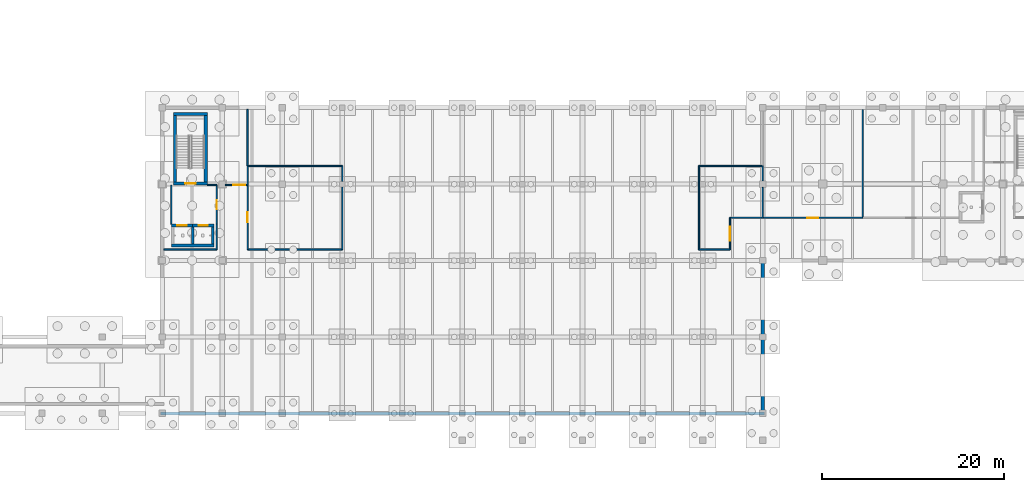
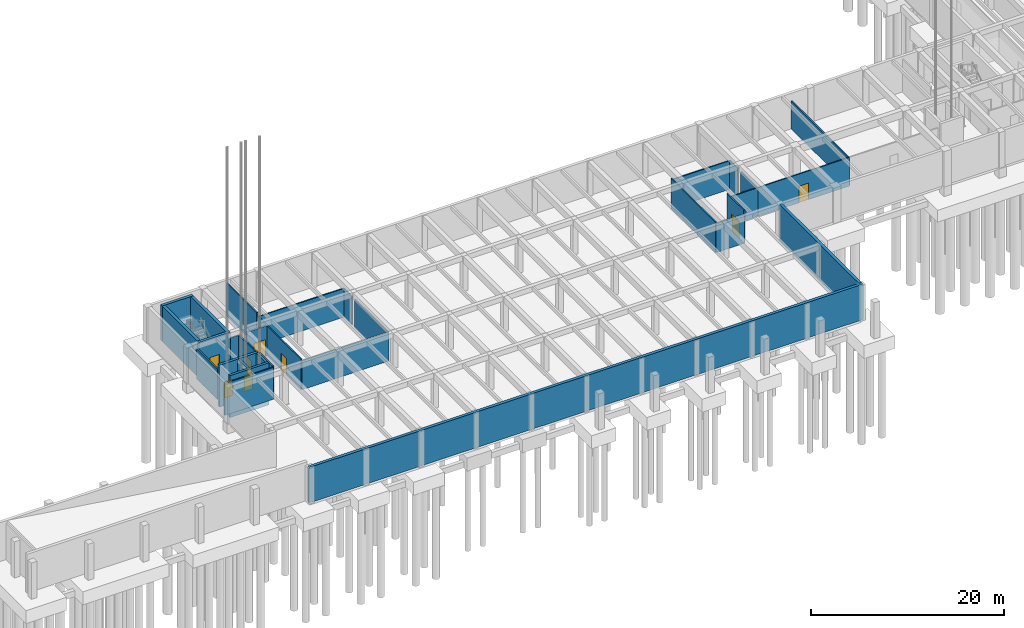
# One storey, part 33 of 44: 33 walls, 8 doors, 8 openings.
"""IFC4 building model written with IfcOpenShell, lengths in metres."""

from ifc_helpers import new_model, si_unit, direction, frame, frame_2d, origin, place, context, subcontext, project, spatial, rectangle, extrude, material, layer, layer_set, type_object, element, fill, save


model = new_model("IFC4")

# Units and contexts
model_context = context("Model", 3, precision=1e-05, world=origin(), true_north=direction((0.0, 1.0)))
body_context = subcontext(model_context, "Body", "Model", "MODEL_VIEW")
ifc_project = project(units=[si_unit("LENGTHUNIT", "METRE"), si_unit("AREAUNIT", "SQUARE_METRE"), si_unit("VOLUMEUNIT", "CUBIC_METRE"), si_unit("PLANEANGLEUNIT", "RADIAN"), si_unit("MASSUNIT", "GRAM", prefix="KILO")], contexts=[model_context])

# Site, building, storey
site_placement = place(None, origin())
site = spatial("IfcSite", under=ifc_project, at=site_placement, CompositionType="ELEMENT")
building_placement = place(site_placement, origin())
building = spatial("IfcBuilding", under=site, at=building_placement, Name="Kolvaren Faculty of Natural Sciences", CompositionType="ELEMENT")
storey_placement = place(building_placement, frame((0.0, 0.0, -4.5)))
storey = spatial("IfcBuildingStorey", under=building, at=storey_placement, Name="B01", CompositionType="ELEMENT", Elevation=-4.5)

# Walls
ifc_material_1 = material(Name="Concrete C35/45", Category="concrete")
ifc_layer_1 = layer(ifc_material_1, 0.35009765625)
ifc_layer_set_1 = layer_set([ifc_layer_1], Name="Concrete C35/45")
wall_type_1 = type_object("IfcWallType", Name="BasementRetainingWall_350", PredefinedType="SOLIDWALL", material=ifc_layer_set_1)
wall_1_placement = place(storey_placement, frame((99.199951171875, 8.77490234375, 0.0), z_axis=(0.0, 0.0, 1.0), x_axis=(0.0, 1.0, 0.0)))
element("IfcWall", 1, at=wall_1_placement, inside=storey, type_object=wall_type_1, Name="B01 perimeter reinforced concrete retaining wall 14.1", PredefinedType="SOLIDWALL", context=body_context, shape_type="SweptSolid", body=[
    extrude(rectangle(XDim=16.4501953125, YDim=0.35009765625, at=frame_2d((8.22509765625, 0.0))), origin(), (0.0, 0.0, 1.0), 4.5),
])
wall_2_placement = place(storey_placement, frame((33.02490234375, 8.60009765625, 0.0), z_axis=(0.0, 0.0, 1.0), x_axis=(1.0, 0.0, 0.0)))
element("IfcWall", 2, at=wall_2_placement, inside=storey, type_object=wall_type_1, Name="B01 perimeter reinforced concrete retaining wall 15", PredefinedType="SOLIDWALL", context=body_context, shape_type="SweptSolid", body=[
    extrude(rectangle(XDim=66.35009765625, YDim=0.35009765625, at=frame_2d((33.175048828125, 0.0))), origin(), (0.0, 0.0, 1.0), 4.5),
])
ifc_material_2 = material(Name="Acoustic mineral-wool insulated gypsum partition")
ifc_layer_2 = layer(ifc_material_2, 0.159912109375)
ifc_layer_set_2 = layer_set([ifc_layer_2], Name="Acoustic mineral-wool insulated gypsum partition")
wall_type_2 = type_object("IfcWallType", Name="ClassroomPartitionWall_160", PredefinedType="PARTITIONING", material=ifc_layer_set_2)
wall_3_placement = place(storey_placement, frame((42.60009765625, 42.02294921875, 0.0), z_axis=(0.0, 0.0, 1.0), x_axis=(0.0, -1.0, 0.0)))
element("IfcWall", 3, at=wall_3_placement, inside=storey, type_object=wall_type_2, Name="B01 interior partition PW-160", PredefinedType="PARTITIONING", context=body_context, shape_type="SweptSolid", body=[
    extrude(rectangle(XDim=6.222900390625, YDim=0.159912109375, at=frame_2d((3.111328125, 0.0))), origin(), (0.0, 0.0, 1.0), 4.175048828125),
])

# Wall, opening, door
wall_4_placement = place(storey_placement, frame((42.60009765625, 33.699951171875, 0.0), z_axis=(0.0, 0.0, 1.0), x_axis=(-1.0, 0.0, 0.0)))
wall_4 = element("IfcWall", 4, at=wall_4_placement, inside=storey, type_object=wall_type_2, Name="B01 interior partition PW-160", PredefinedType="PARTITIONING", context=body_context, shape_type="SweptSolid", body=[
    extrude(rectangle(XDim=2.4501953125, YDim=0.159912109375, at=frame_2d((1.22509765625, 0.0))), origin(), (0.0, 0.0, 1.0), 3.8349609375),
])
opening_1_placement = place(wall_4_placement, frame((0.2509765625, 0.0, 0.0)))
opening_1 = element("IfcOpeningElement", 5, at=opening_1_placement, cuts=wall_4, Name="Opening ID-26", PredefinedType="OPENING", context=body_context, shape_type="SweptSolid", body=[
    extrude(rectangle(XDim=1.360107421875, YDim=2.139892578125, at=frame_2d((0.68017578125, 1.06982421875))), frame((0.0, 0.08984375, 0.0), z_axis=(0.0, -1.0, 0.0), x_axis=(1.0, 0.0, 0.0)), (0.0, 0.0, 1.0), 0.179931640625),
])
ifc_material_3 = material(Name="Thermally broken anodised aluminium glazed door", Category="aluminium")
door_type_1 = type_object("IfcDoorType", Name="InteriorRoomDoor_1360x2140", OperationType="DOUBLE_DOOR_SINGLE_SWING", PredefinedType="DOOR", material=ifc_material_3)
door_1_placement = place(opening_1_placement, origin())
door_1 = element("IfcDoor", 6, at=door_1_placement, inside=storey, type_object=door_type_1, Name="D-B01-0023", OperationType="DOUBLE_DOOR_SINGLE_SWING", OverallHeight=2.139892578125, OverallWidth=1.360107421875, PredefinedType="DOOR", context=body_context, shape_type="SweptSolid", body=[
    extrude(rectangle(XDim=1.360107421875, YDim=2.139892578125, at=frame_2d((0.68017578125, 1.06982421875))), frame((0.0, 0.02490234375, 0.0), z_axis=(0.0, -1.0, 0.0), x_axis=(1.0, 0.0, 0.0)), (0.0, 0.0, 1.0), 0.050048828125),
])
fill(opening_1, door_1)

# Walls
wall_5_placement = place(storey_placement, frame((39.199951171875, 29.39990234375, 0.0), z_axis=(0.0, 0.0, 1.0), x_axis=(0.0, -1.0, 0.0)))
element("IfcWall", 7, at=wall_5_placement, inside=storey, type_object=wall_type_2, Name="B01 interior partition PW-160", PredefinedType="PARTITIONING", context=body_context, shape_type="SweptSolid", body=[
    extrude(rectangle(XDim=2.7998046875, YDim=0.159912109375, at=frame_2d((1.39990234375, 0.0))), origin(), (0.0, 0.0, 1.0), 4.175048828125),
])
wall_6_placement = place(storey_placement, frame((39.199951171875, 26.60009765625, 0.0), z_axis=(0.0, 0.0, 1.0), x_axis=(-1.0, 0.0, 0.0)))
element("IfcWall", 8, at=wall_6_placement, inside=storey, type_object=wall_type_2, Name="B01 interior partition PW-160", PredefinedType="PARTITIONING", context=body_context, shape_type="SweptSolid", body=[
    extrude(rectangle(XDim=5.822998046875, YDim=0.159912109375, at=frame_2d((2.91162109375, 0.0))), origin(), (0.0, 0.0, 1.0), 4.034912109375),
])
ifc_layer_3 = layer(ifc_material_2, 0.139892578125)
ifc_layer_set_3 = layer_set([ifc_layer_3], Name="Acoustic mineral-wool insulated gypsum partition")
wall_type_3 = type_object("IfcWallType", Name="CommonsPartitionWall_140", PredefinedType="PARTITIONING", material=ifc_layer_set_3)
wall_7_placement = place(storey_placement, frame((42.60009765625, 33.699951171875, 0.0), z_axis=(0.0, 0.0, 1.0), x_axis=(0.0, 1.0, 0.0)))
element("IfcWall", 9, at=wall_7_placement, inside=storey, type_object=wall_type_3, Name="B01 interior partition PW-140", PredefinedType="PARTITIONING", context=body_context, shape_type="SweptSolid", body=[
    extrude(rectangle(XDim=2.10009765625, YDim=0.139892578125, at=frame_2d((1.050048828125, 0.0))), origin(), (0.0, 0.0, 1.0), 3.8349609375),
])
wall_8_placement = place(storey_placement, frame((42.60009765625, 35.800048828125, 0.0), z_axis=(0.0, 0.0, 1.0), x_axis=(1.0, 0.0, 0.0)))
element("IfcWall", 10, at=wall_8_placement, inside=storey, type_object=wall_type_3, Name="B01 interior partition PW-140", PredefinedType="PARTITIONING", context=body_context, shape_type="SweptSolid", body=[
    extrude(rectangle(XDim=10.39990234375, YDim=0.139892578125, at=frame_2d((5.199951171875, 0.0))), origin(), (0.0, 0.0, 1.0), 3.635009765625),
])
wall_9_placement = place(storey_placement, frame((53.0, 35.800048828125, 0.0), z_axis=(0.0, 0.0, 1.0), x_axis=(0.0, -1.0, 0.0)))
element("IfcWall", 11, at=wall_9_placement, inside=storey, type_object=wall_type_3, Name="B01 interior partition PW-140", PredefinedType="PARTITIONING", context=body_context, shape_type="SweptSolid", body=[
    extrude(rectangle(XDim=1.699951171875, YDim=0.139892578125, at=frame_2d((0.85009765625, 0.0))), origin(), (0.0, 0.0, 1.0), 3.635009765625),
])
wall_10_placement = place(storey_placement, frame((53.0, 33.5, 0.0), z_axis=(0.0, 0.0, 1.0), x_axis=(0.0, -1.0, 0.0)))
element("IfcWall", 12, at=wall_10_placement, inside=storey, type_object=wall_type_3, Name="B01 interior partition PW-140", PredefinedType="PARTITIONING", context=body_context, shape_type="SweptSolid", body=[
    extrude(rectangle(XDim=6.89990234375, YDim=0.139892578125, at=frame_2d((3.449951171875, 0.0))), origin(), (0.0, 0.0, 1.0), 3.635009765625),
])
wall_11_placement = place(storey_placement, frame((53.0, 26.60009765625, 0.0), z_axis=(0.0, 0.0, 1.0), x_axis=(-1.0, 0.0, 0.0)))
element("IfcWall", 13, at=wall_11_placement, inside=storey, type_object=wall_type_3, Name="B01 interior partition PW-140", PredefinedType="PARTITIONING", context=body_context, shape_type="SweptSolid", body=[
    extrude(rectangle(XDim=10.39990234375, YDim=0.139892578125, at=frame_2d((5.199951171875, 0.0))), origin(), (0.0, 0.0, 1.0), 3.635009765625),
])

# Wall, opening, door
wall_12_placement = place(storey_placement, frame((42.60009765625, 26.60009765625, 0.0), z_axis=(0.0, 0.0, 1.0), x_axis=(0.0, 1.0, 0.0)))
wall_12 = element("IfcWall", 14, at=wall_12_placement, inside=storey, type_object=wall_type_3, Name="B01 interior partition PW-140", PredefinedType="PARTITIONING", context=body_context, shape_type="SweptSolid", body=[
    extrude(rectangle(XDim=7.099853515625, YDim=0.139892578125, at=frame_2d((3.5498046875, 0.0))), origin(), (0.0, 0.0, 1.0), 3.8349609375),
])
opening_2_placement = place(wall_12_placement, frame((2.989990234375, 0.0, 0.0)))
opening_2 = element("IfcOpeningElement", 15, at=opening_2_placement, cuts=wall_12, Name="Opening ID-17", PredefinedType="OPENING", context=body_context, shape_type="SweptSolid", body=[
    extrude(rectangle(XDim=1.1201171875, YDim=2.10009765625, at=frame_2d((0.56005859375, 1.050048828125))), frame((0.0, 0.079833984375, 0.0), z_axis=(0.0, -1.0, 0.0), x_axis=(1.0, 0.0, 0.0)), (0.0, 0.0, 1.0), 0.159912109375),
])
ifc_material_4 = material(Name="Solid-core hardwood veneer door leaf in steel frame", Category="steel")
door_type_2 = type_object("IfcDoorType", Name="InteriorRoomDoor_1120x2100", OperationType="NOTDEFINED", PredefinedType="DOOR", material=ifc_material_4)
door_2_placement = place(opening_2_placement, origin())
door_2 = element("IfcDoor", 16, at=door_2_placement, inside=storey, type_object=door_type_2, Name="D-B01-0011", OperationType="SINGLE_SWING_LEFT", OverallHeight=2.10009765625, OverallWidth=1.1201171875, PredefinedType="DOOR", context=body_context, shape_type="SweptSolid", body=[
    extrude(rectangle(XDim=1.1201171875, YDim=2.10009765625, at=frame_2d((0.56005859375, 1.050048828125))), frame((0.0, 0.02490234375, 0.0), z_axis=(0.0, -1.0, 0.0), x_axis=(1.0, 0.0, 0.0)), (0.0, 0.0, 1.0), 0.050048828125),
])
fill(opening_2, door_2)

# Walls
wall_13_placement = place(storey_placement, frame((95.60009765625, 26.60009765625, 0.0), z_axis=(0.0, 0.0, 1.0), x_axis=(-1.0, 0.0, 0.0)))
element("IfcWall", 17, at=wall_13_placement, inside=storey, type_object=wall_type_3, Name="B01 interior partition PW-140", PredefinedType="PARTITIONING", context=body_context, shape_type="SweptSolid", body=[
    extrude(rectangle(XDim=3.400146484375, YDim=0.139892578125, at=frame_2d((1.7001953125, 0.0))), origin(), (0.0, 0.0, 1.0), 3.635009765625),
])
wall_14_placement = place(storey_placement, frame((92.199951171875, 26.60009765625, 0.0), z_axis=(0.0, 0.0, 1.0), x_axis=(0.0, 1.0, 0.0)))
element("IfcWall", 18, at=wall_14_placement, inside=storey, type_object=wall_type_3, Name="B01 interior partition PW-140", PredefinedType="PARTITIONING", context=body_context, shape_type="SweptSolid", body=[
    extrude(rectangle(XDim=9.199951171875, YDim=0.139892578125, at=frame_2d((4.60009765625, 0.0))), origin(), (0.0, 0.0, 1.0), 3.8349609375),
])
wall_15_placement = place(storey_placement, frame((92.199951171875, 35.800048828125, 0.0), z_axis=(0.0, 0.0, 1.0), x_axis=(1.0, 0.0, 0.0)))
element("IfcWall", 19, at=wall_15_placement, inside=storey, type_object=wall_type_3, Name="B01 interior partition PW-140", PredefinedType="PARTITIONING", context=body_context, shape_type="SweptSolid", body=[
    extrude(rectangle(XDim=7.0, YDim=0.139892578125, at=frame_2d((3.5, 0.0))), origin(), (0.0, 0.0, 1.0), 3.635009765625),
])
wall_16_placement = place(storey_placement, frame((99.199951171875, 30.10009765625, 0.0), z_axis=(0.0, 0.0, 1.0), x_axis=(-1.0, 0.0, 0.0)))
element("IfcWall", 20, at=wall_16_placement, inside=storey, type_object=wall_type_3, Name="B01 interior partition PW-140", PredefinedType="PARTITIONING", context=body_context, shape_type="SweptSolid", body=[
    extrude(rectangle(XDim=3.599853515625, YDim=0.139892578125, at=frame_2d((1.7998046875, 0.0))), origin(), (0.0, 0.0, 1.0), 3.635009765625),
])

# Wall, opening, door
wall_17_placement = place(storey_placement, frame((95.60009765625, 30.10009765625, 0.0), z_axis=(0.0, 0.0, 1.0), x_axis=(0.0, -1.0, 0.0)))
wall_17 = element("IfcWall", 21, at=wall_17_placement, inside=storey, type_object=wall_type_3, Name="B01 interior partition PW-140", PredefinedType="PARTITIONING", context=body_context, shape_type="SweptSolid", body=[
    extrude(rectangle(XDim=3.5, YDim=0.139892578125, at=frame_2d((1.75, 0.0))), origin(), (0.0, 0.0, 1.0), 4.175048828125),
])
opening_3_placement = place(wall_17_placement, frame((0.989990234375, 0.0, 0.0)))
opening_3 = element("IfcOpeningElement", 22, at=opening_3_placement, cuts=wall_17, Name="Opening ID-28", PredefinedType="OPENING", context=body_context, shape_type="SweptSolid", body=[
    extrude(rectangle(XDim=1.52001953125, YDim=2.139892578125, at=frame_2d((0.760009765625, 1.06982421875))), frame((0.0, 0.079833984375, 0.0), z_axis=(0.0, -1.0, 0.0), x_axis=(1.0, 0.0, 0.0)), (0.0, 0.0, 1.0), 0.159912109375),
])
door_type_3 = type_object("IfcDoorType", Name="InteriorRoomDoor_1520x2140", OperationType="DOUBLE_DOOR_SINGLE_SWING", PredefinedType="DOOR", material=ifc_material_3)
door_3_placement = place(opening_3_placement, origin())
door_3 = element("IfcDoor", 23, at=door_3_placement, inside=storey, type_object=door_type_3, Name="D-B01-0025", OperationType="DOUBLE_DOOR_SINGLE_SWING", OverallHeight=2.139892578125, OverallWidth=1.52001953125, PredefinedType="DOOR", context=body_context, shape_type="SweptSolid", body=[
    extrude(rectangle(XDim=1.52001953125, YDim=2.139892578125, at=frame_2d((0.760009765625, 1.06982421875))), frame((0.0, 0.02490234375, 0.0), z_axis=(0.0, -1.0, 0.0), x_axis=(1.0, 0.0, 0.0)), (0.0, 0.0, 1.0), 0.050048828125),
])
fill(opening_3, door_3)

ifc_material_5 = material(Name="Concrete C40/50", Category="concrete")
ifc_layer_4 = layer(ifc_material_5, 0.35009765625)
ifc_layer_set_4 = layer_set([ifc_layer_4], Name="Concrete C40/50")
wall_type_4 = type_object("IfcWallType", Name="CoreShearWall_350", PredefinedType="SHEAR", material=ifc_layer_set_4)
wall_18_placement = place(storey_placement, frame((34.425048828125, 33.875, 0.0), z_axis=(0.0, 0.0, 1.0), x_axis=(1.0, 0.0, 0.0)))
wall_18 = element("IfcWall", 24, at=wall_18_placement, inside=storey, type_object=wall_type_4, Name="B01 CORE-C4 stair shear wall S", PredefinedType="SHEAR", context=body_context, shape_type="SweptSolid", body=[
    extrude(rectangle(XDim=3.75, YDim=0.35009765625, at=frame_2d((1.875, 0.0))), origin(), (0.0, 0.0, 1.0), 4.5),
])
opening_4_placement = place(wall_18_placement, frame((1.300048828125, 0.0, 0.0)))
opening_4 = element("IfcOpeningElement", 25, at=opening_4_placement, cuts=wall_18, Name="Opening FD90", PredefinedType="OPENING", context=body_context, shape_type="SweptSolid", body=[
    extrude(rectangle(XDim=1.14990234375, YDim=2.14990234375, at=frame_2d((0.574951171875, 1.074951171875))), frame((0.0, 0.18505859375, 0.0), z_axis=(0.0, -1.0, 0.0), x_axis=(1.0, 0.0, 0.0)), (0.0, 0.0, 1.0), 0.3701171875),
])
ifc_material_6 = material(Name="Fire-rated solid-core hardwood door leaf in steel frame", Category="steel")
door_type_4 = type_object("IfcDoorType", Name="StairCoreFireDoor_1150x2150", OperationType="NOTDEFINED", PredefinedType="DOOR", material=ifc_material_6)
door_4_placement = place(opening_4_placement, origin())
door_4 = element("IfcDoor", 26, at=door_4_placement, inside=storey, type_object=door_type_4, Name="D-ST-ST-4-B01", OperationType="SINGLE_SWING_LEFT", OverallHeight=2.14990234375, OverallWidth=1.14990234375, PredefinedType="DOOR", context=body_context, shape_type="SweptSolid", body=[
    extrude(rectangle(XDim=1.14990234375, YDim=2.14990234375, at=frame_2d((0.574951171875, 1.074951171875))), frame((0.0, 0.02490234375, 0.0), z_axis=(0.0, -1.0, 0.0), x_axis=(1.0, 0.0, 0.0)), (0.0, 0.0, 1.0), 0.050048828125),
])
fill(opening_4, door_4)

# Walls
wall_19_placement = place(storey_placement, frame((34.425048828125, 41.5, 0.0), z_axis=(0.0, 0.0, 1.0), x_axis=(1.0, 0.0, 0.0)))
element("IfcWall", 27, at=wall_19_placement, inside=storey, type_object=wall_type_4, Name="B01 CORE-C4 stair shear wall N", PredefinedType="SHEAR", context=body_context, shape_type="SweptSolid", body=[
    extrude(rectangle(XDim=3.75, YDim=0.35009765625, at=frame_2d((1.875, 0.0))), origin(), (0.0, 0.0, 1.0), 4.5),
])
for number, where, z_axis, x_axis, name in (
    (28, (34.60009765625, 34.050048828125, 0.0), (0.0, 0.0, 1.0), (0.0, 1.0, 0.0), "B01 CORE-C4 stair shear wall W"),
    (29, (38.0, 34.050048828125, 0.0), (0.0, 0.0, 1.0), (0.0, 1.0, 0.0), "B01 CORE-C4 stair shear wall E"),
):
    element("IfcWall", number, at=place(storey_placement, frame(where, z_axis=z_axis, x_axis=x_axis)), inside=storey, type_object=wall_type_4, Name=name, PredefinedType="SHEAR", context=body_context, shape_type="SweptSolid", body=[
        extrude(rectangle(XDim=7.27490234375, YDim=0.35009765625, at=frame_2d((3.637451171875, 0.0))), origin(), (0.0, 0.0, 1.0), 4.5),
    ])
ifc_layer_5 = layer(ifc_material_2, 0.1298828125)
ifc_layer_set_5 = layer_set([ifc_layer_5], Name="Acoustic mineral-wool insulated gypsum partition")
wall_type_5 = type_object("IfcWallType", Name="OfficePartitionWall_130", PredefinedType="PARTITIONING", material=ifc_layer_set_5)
wall_20_placement = place(storey_placement, frame((99.199951171875, 30.10009765625, 0.0), z_axis=(0.0, 0.0, 1.0), x_axis=(0.0, 1.0, 0.0)))
element("IfcWall", 30, at=wall_20_placement, inside=storey, type_object=wall_type_5, Name="B01 interior partition PW-130", PredefinedType="PARTITIONING", context=body_context, shape_type="SweptSolid", body=[
    extrude(rectangle(XDim=3.349853515625, YDim=0.1298828125, at=frame_2d((1.6748046875, 0.0))), origin(), (0.0, 0.0, 1.0), 3.635009765625),
])
wall_21_placement = place(storey_placement, frame((99.199951171875, 34.14990234375, 0.0), z_axis=(0.0, 0.0, 1.0), x_axis=(0.0, 1.0, 0.0)))
element("IfcWall", 31, at=wall_21_placement, inside=storey, type_object=wall_type_5, Name="B01 interior partition PW-130", PredefinedType="PARTITIONING", context=body_context, shape_type="SweptSolid", body=[
    extrude(rectangle(XDim=1.650146484375, YDim=0.1298828125, at=frame_2d((0.8251953125, 0.0))), origin(), (0.0, 0.0, 1.0), 3.635009765625),
])

# Wall, opening, door
wall_22_placement = place(storey_placement, frame((110.199951171875, 30.10009765625, 0.0), z_axis=(0.0, 0.0, 1.0), x_axis=(-1.0, 0.0, 0.0)))
wall_22 = element("IfcWall", 32, at=wall_22_placement, inside=storey, type_object=wall_type_5, Name="B01 interior partition PW-130", PredefinedType="PARTITIONING", context=body_context, shape_type="SweptSolid", body=[
    extrude(rectangle(XDim=11.0, YDim=0.1298828125, at=frame_2d((5.5, 0.0))), origin(), (0.0, 0.0, 1.0), 3.635009765625),
])
opening_5_placement = place(wall_22_placement, frame((4.909912109375, 0.0, 0.0)))
opening_5 = element("IfcOpeningElement", 33, at=opening_5_placement, cuts=wall_22, Name="Opening ID-18", PredefinedType="OPENING", context=body_context, shape_type="SweptSolid", body=[
    extrude(rectangle(XDim=1.179931640625, YDim=2.10009765625, at=frame_2d((0.58984375, 1.050048828125))), frame((0.0, 0.074951171875, 0.0), z_axis=(0.0, -1.0, 0.0), x_axis=(1.0, 0.0, 0.0)), (0.0, 0.0, 1.0), 0.14990234375),
])
door_type_5 = type_object("IfcDoorType", Name="InteriorRoomDoor_1180x2100", OperationType="NOTDEFINED", PredefinedType="DOOR", material=ifc_material_4)
door_5_placement = place(opening_5_placement, origin())
door_5 = element("IfcDoor", 34, at=door_5_placement, inside=storey, type_object=door_type_5, Name="D-B01-0012", OperationType="SINGLE_SWING_RIGHT", OverallHeight=2.10009765625, OverallWidth=1.179931640625, PredefinedType="DOOR", context=body_context, shape_type="SweptSolid", body=[
    extrude(rectangle(XDim=1.179931640625, YDim=2.10009765625, at=frame_2d((0.58984375, 1.050048828125))), frame((0.0, 0.02490234375, 0.0), z_axis=(0.0, -1.0, 0.0), x_axis=(1.0, 0.0, 0.0)), (0.0, 0.0, 1.0), 0.050048828125),
])
fill(opening_5, door_5)

# Wall
ifc_material_7 = material(Name="Double fire-rated gypsum board on 100 mm steel stud", Category="steel")
ifc_layer_6 = layer(ifc_material_7, 0.14990234375)
ifc_layer_set_6 = layer_set([ifc_layer_6], Name="Double fire-rated gypsum board on 100 mm steel stud")
wall_type_6 = type_object("IfcWallType", Name="RatedCorridorWall_150", PredefinedType="PARTITIONING", material=ifc_layer_set_6)
wall_23_placement = place(storey_placement, frame((38.175048828125, 33.699951171875, 0.0), z_axis=(0.0, 0.0, 1.0), x_axis=(1.0, 0.0, 0.0)))
element("IfcWall", 35, at=wall_23_placement, inside=storey, type_object=wall_type_6, Name="B01 interior partition LW-150", PredefinedType="PARTITIONING", context=body_context, shape_type="SweptSolid", body=[
    extrude(rectangle(XDim=1.02490234375, YDim=0.14990234375, at=frame_2d((0.512451171875, 0.0))), origin(), (0.0, 0.0, 1.0), 3.8349609375),
])

# Wall, opening, door
wall_24_placement = place(storey_placement, frame((39.199951171875, 33.699951171875, 0.0), z_axis=(0.0, 0.0, 1.0), x_axis=(0.0, -1.0, 0.0)))
wall_24 = element("IfcWall", 36, at=wall_24_placement, inside=storey, type_object=wall_type_6, Name="B01 interior partition LW-150", PredefinedType="PARTITIONING", context=body_context, shape_type="SweptSolid", body=[
    extrude(rectangle(XDim=4.300048828125, YDim=0.14990234375, at=frame_2d((2.14990234375, 0.0))), origin(), (0.0, 0.0, 1.0), 3.8349609375),
])
opening_6_placement = place(wall_24_placement, frame((1.64990234375, 0.0, 0.0)))
opening_6 = element("IfcOpeningElement", 37, at=opening_6_placement, cuts=wall_24, Name="Opening FD30", PredefinedType="OPENING", context=body_context, shape_type="SweptSolid", body=[
    extrude(rectangle(XDim=1.0, YDim=2.10009765625, at=frame_2d((0.5, 1.050048828125))), frame((0.0, 0.0849609375, 0.0), z_axis=(0.0, -1.0, 0.0), x_axis=(1.0, 0.0, 0.0)), (0.0, 0.0, 1.0), 0.169921875),
])
door_type_6 = type_object("IfcDoorType", Name="CorridorFireDoor_1000x2100", OperationType="NOTDEFINED", PredefinedType="DOOR", material=ifc_material_6)
door_6_placement = place(opening_6_placement, origin())
door_6 = element("IfcDoor", 38, at=door_6_placement, inside=storey, type_object=door_type_6, Name="D-B01-0004", OperationType="SINGLE_SWING_RIGHT", OverallHeight=2.10009765625, OverallWidth=1.0, PredefinedType="DOOR", context=body_context, shape_type="SweptSolid", body=[
    extrude(rectangle(XDim=1.0, YDim=2.10009765625, at=frame_2d((0.5, 1.050048828125))), frame((0.0, 0.02490234375, 0.0), z_axis=(0.0, -1.0, 0.0), x_axis=(1.0, 0.0, 0.0)), (0.0, 0.0, 1.0), 0.050048828125),
])
fill(opening_6, door_6)

# Walls
wall_25_placement = place(storey_placement, frame((34.199951171875, 29.402099609375, 0.0), z_axis=(0.0, 0.0, 1.0), x_axis=(0.0, 1.0, 0.0)))
element("IfcWall", 39, at=wall_25_placement, inside=storey, type_object=wall_type_6, Name="B01 interior partition LW-150", PredefinedType="PARTITIONING", context=body_context, shape_type="SweptSolid", body=[
    extrude(rectangle(XDim=4.2978515625, YDim=0.14990234375, at=frame_2d((2.14892578125, 0.0))), origin(), (0.0, 0.0, 1.0), 3.8349609375),
])
wall_26_placement = place(storey_placement, frame((110.199951171875, 30.10009765625, 0.0), z_axis=(0.0, 0.0, 1.0), x_axis=(0.0, 1.0, 0.0)))
element("IfcWall", 40, at=wall_26_placement, inside=storey, type_object=wall_type_6, Name="B01 interior partition LW-150", PredefinedType="PARTITIONING", context=body_context, shape_type="SweptSolid", body=[
    extrude(rectangle(XDim=11.9228515625, YDim=0.14990234375, at=frame_2d((5.96142578125, 0.0))), origin(), (0.0, 0.0, 1.0), 3.534912109375),
])
ifc_layer_7 = layer(ifc_material_5, 0.300048828125)
ifc_layer_set_7 = layer_set([ifc_layer_7], Name="Concrete C40/50")
wall_type_7 = type_object("IfcWallType", Name="ShaftShearWall_300", PredefinedType="SHEAR", material=ifc_layer_set_7)
wall_27_placement = place(storey_placement, frame((34.199951171875, 27.050048828125, -0.820068359375), z_axis=(0.0, 0.0, 1.0), x_axis=(1.0, 0.0, 0.0)))
element("IfcWall", 41, at=wall_27_placement, inside=storey, type_object=wall_type_7, Name="B01 twin lift shaft wall S", PredefinedType="SHEAR", context=body_context, shape_type="SweptSolid", body=[
    extrude(rectangle(XDim=4.699951171875, YDim=0.300048828125, at=frame_2d((2.35009765625, 0.0))), origin(), (0.0, 0.0, 1.0), 5.320068359375),
])

# Wall, opening, door
wall_28_placement = place(storey_placement, frame((34.199951171875, 29.25, -0.820068359375), z_axis=(0.0, 0.0, 1.0), x_axis=(1.0, 0.0, 0.0)))
wall_28 = element("IfcWall", 42, at=wall_28_placement, inside=storey, type_object=wall_type_7, Name="B01 lift PL-2 shaft wall N", PredefinedType="SHEAR", context=body_context, shape_type="SweptSolid", body=[
    extrude(rectangle(XDim=2.35009765625, YDim=0.300048828125, at=frame_2d((1.175048828125, 0.0))), origin(), (0.0, 0.0, 1.0), 5.320068359375),
])
opening_7_placement = place(wall_28_placement, frame((0.675048828125, 0.0, 0.820068359375)))
opening_7 = element("IfcOpeningElement", 43, at=opening_7_placement, cuts=wall_28, Name="Opening LD-02", PredefinedType="OPENING", context=body_context, shape_type="SweptSolid", body=[
    extrude(rectangle(XDim=1.0, YDim=2.10009765625, at=frame_2d((0.5, 1.050048828125))), frame((0.0, 0.159912109375, 0.0), z_axis=(0.0, -1.0, 0.0), x_axis=(1.0, 0.0, 0.0)), (0.0, 0.0, 1.0), 0.320068359375),
])
ifc_material_8 = material(Name="Brushed stainless steel lift car and sliding door assembly", Category="steel")
door_type_7 = type_object("IfcDoorType", Name="LiftLandingSliding_1000x2100", OperationType="SLIDING_TO_LEFT", PredefinedType="DOOR", material=ifc_material_8)
door_7_placement = place(opening_7_placement, origin())
door_7 = element("IfcDoor", 44, at=door_7_placement, inside=storey, type_object=door_type_7, Name="D-LIFT-PL-2-B01", OperationType="SLIDING_TO_LEFT", OverallHeight=2.10009765625, OverallWidth=1.0, PredefinedType="DOOR", context=body_context, shape_type="SweptSolid", body=[
    extrude(rectangle(XDim=1.0, YDim=2.10009765625, at=frame_2d((0.5, 1.050048828125))), frame((0.0, 0.02490234375, 0.0), z_axis=(0.0, -1.0, 0.0), x_axis=(1.0, 0.0, 0.0)), (0.0, 0.0, 1.0), 0.050048828125),
])
fill(opening_7, door_7)

wall_29_placement = place(storey_placement, frame((36.550048828125, 29.25, -0.820068359375), z_axis=(0.0, 0.0, 1.0), x_axis=(1.0, 0.0, 0.0)))
wall_29 = element("IfcWall", 45, at=wall_29_placement, inside=storey, type_object=wall_type_7, Name="B01 lift PL-4 shaft wall N", PredefinedType="SHEAR", context=body_context, shape_type="SweptSolid", body=[
    extrude(rectangle(XDim=2.349853515625, YDim=0.300048828125, at=frame_2d((1.1748046875, 0.0))), origin(), (0.0, 0.0, 1.0), 5.320068359375),
])
opening_8_placement = place(wall_29_placement, frame((0.675048828125, 0.0, 0.820068359375)))
opening_8 = element("IfcOpeningElement", 46, at=opening_8_placement, cuts=wall_29, Name="Opening LD-02", PredefinedType="OPENING", context=body_context, shape_type="SweptSolid", body=[
    extrude(rectangle(XDim=1.0, YDim=2.10009765625, at=frame_2d((0.5, 1.050048828125))), frame((0.0, 0.159912109375, 0.0), z_axis=(0.0, -1.0, 0.0), x_axis=(1.0, 0.0, 0.0)), (0.0, 0.0, 1.0), 0.320068359375),
])
door_8_placement = place(opening_8_placement, origin())
door_8 = element("IfcDoor", 47, at=door_8_placement, inside=storey, type_object=door_type_7, Name="D-LIFT-PL-4-B01", OperationType="SLIDING_TO_LEFT", OverallHeight=2.10009765625, OverallWidth=1.0, PredefinedType="DOOR", context=body_context, shape_type="SweptSolid", body=[
    extrude(rectangle(XDim=1.0, YDim=2.10009765625, at=frame_2d((0.5, 1.050048828125))), frame((0.0, 0.02490234375, 0.0), z_axis=(0.0, -1.0, 0.0), x_axis=(1.0, 0.0, 0.0)), (0.0, 0.0, 1.0), 0.050048828125),
])
fill(opening_8, door_8)

# Walls
for number, where, z_axis, x_axis, name in (
    (48, (36.550048828125, 27.199951171875, -0.820068359375), (0.0, 0.0, 1.0), (0.0, 1.0, 0.0), "B01 twin lift divider wall"),
    (49, (38.75, 27.199951171875, -0.820068359375), (0.0, 0.0, 1.0), (0.0, 1.0, 0.0), "B01 lift PL-4 shaft wall E"),
):
    element("IfcWall", number, at=place(storey_placement, frame(where, z_axis=z_axis, x_axis=x_axis)), inside=storey, type_object=wall_type_7, Name=name, PredefinedType="SHEAR", context=body_context, shape_type="SweptSolid", body=[
        extrude(rectangle(XDim=1.900146484375, YDim=0.300048828125, at=frame_2d((0.9501953125, 0.0))), origin(), (0.0, 0.0, 1.0), 5.320068359375),
    ])

save(model, "model.ifc")
